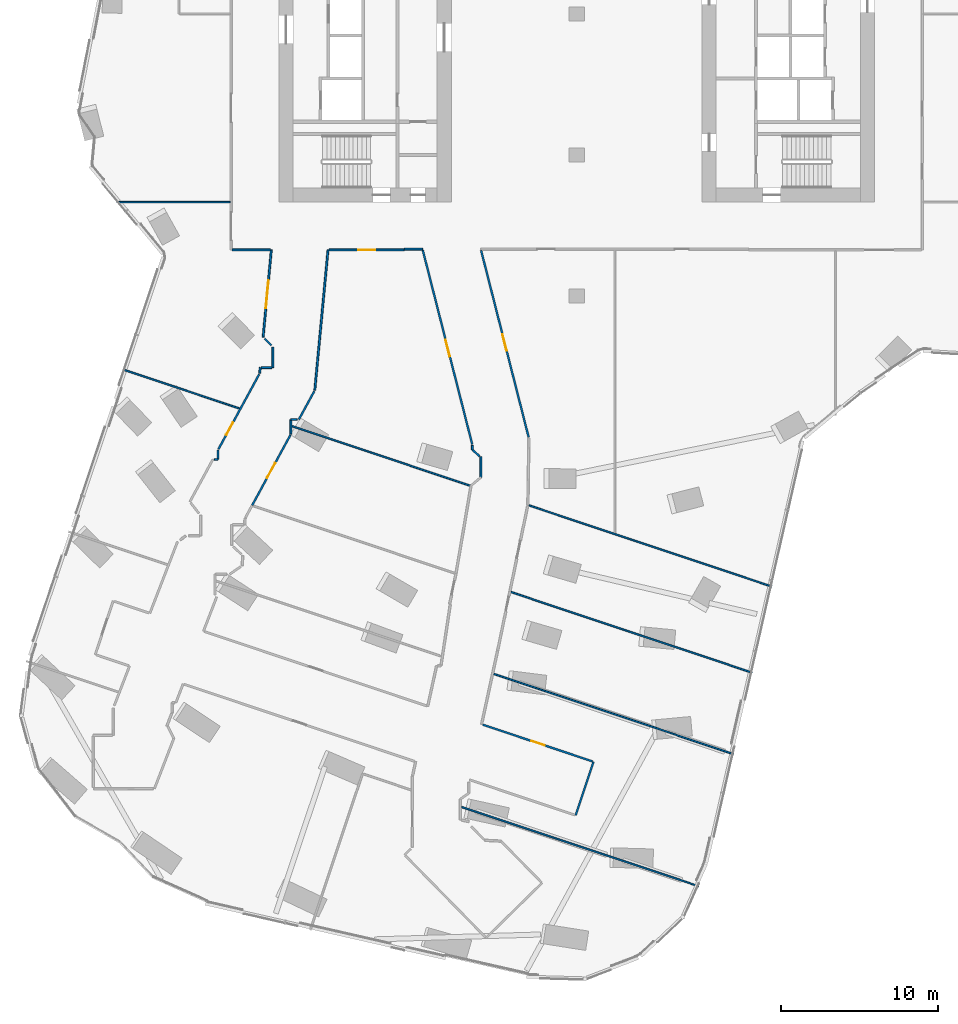
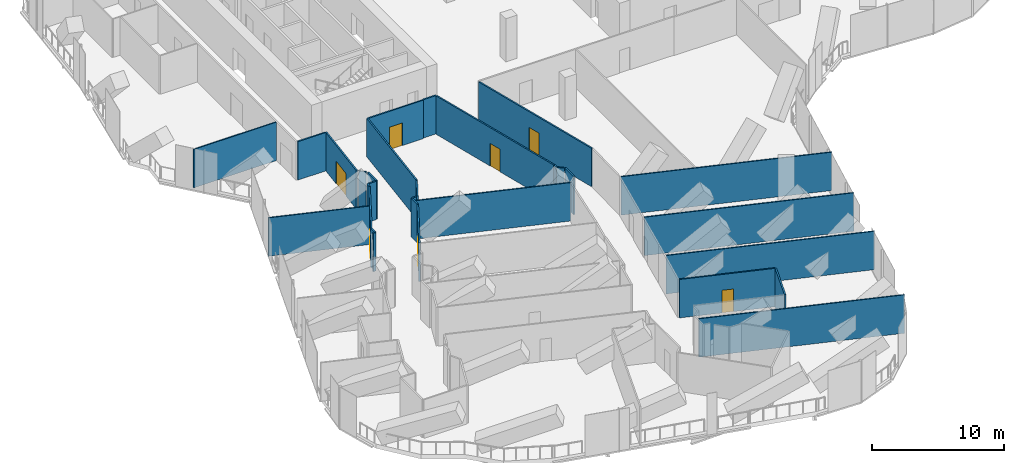
# One storey, part 20 of 28: 30 walls, 7 doors, 7 openings.
"""IFC4 building model written with IfcOpenShell, lengths in metres."""

from ifc_helpers import new_model, si_unit, direction, frame, frame_2d, origin, place, context, subcontext, project, spatial, rectangle, extrude, material, layer, layer_set, type_object, element, fill, save


model = new_model("IFC4")

# Units and contexts
model_context = context("Model", 3, precision=1e-05, world=origin(), true_north=direction((0.0, 1.0)))
body_context = subcontext(model_context, "Body", "Model", "MODEL_VIEW")
ifc_project = project(units=[si_unit("LENGTHUNIT", "METRE"), si_unit("AREAUNIT", "SQUARE_METRE"), si_unit("VOLUMEUNIT", "CUBIC_METRE"), si_unit("PLANEANGLEUNIT", "RADIAN"), si_unit("MASSUNIT", "GRAM", prefix="KILO")], contexts=[model_context])

# Site, building, storey
site_placement = place(None, origin())
site = spatial("IfcSite", under=ifc_project, at=site_placement, CompositionType="ELEMENT")
building_placement = place(site_placement, origin())
building = spatial("IfcBuilding", under=site, at=building_placement, Name="Orlundy Tower", CompositionType="ELEMENT")
storey_placement = place(building_placement, frame((0.0, 0.0, 163.10009765625)))
storey = spatial("IfcBuildingStorey", under=building, at=storey_placement, Name="L42", CompositionType="ELEMENT", Elevation=163.10009765625)

# Walls
ifc_material_1 = material(Name="Gypsum board partition")
ifc_layer_1 = layer(ifc_material_1, 0.10009765625)
ifc_layer_set_1 = layer_set([ifc_layer_1], Name="Floor partition 100")
wall_type_1 = type_object("IfcWallType", Name="Floor partition 100", PredefinedType="PARTITIONING", material=ifc_layer_set_1)
wall_1_placement = place(storey_placement, frame((-7.337890625, -50.5859375, 0.0), z_axis=(0.0, 0.0, 1.0), x_axis=(0.948329073506, -0.317288462355, 0.0)))
element("IfcWall", 1, at=wall_1_placement, inside=storey, type_object=wall_type_1, Name="wall-int-L42-013", PredefinedType="PARTITIONING", context=body_context, shape_type="SweptSolid", body=[
    extrude(rectangle(XDim=15.94775390625, YDim=0.10009765625, at=frame_2d((7.973876953125, 0.0))), origin(), (0.0, 0.0, 1.0), 3.559814453125),
])
wall_2_placement = place(storey_placement, frame((-5.301025390625, -42.093017578125, 0.0), z_axis=(0.0, 0.0, 1.0), x_axis=(0.948322863681, -0.317307022015, 0.0)))
element("IfcWall", 2, at=wall_2_placement, inside=storey, type_object=wall_type_1, Name="wall-int-L42-022", PredefinedType="PARTITIONING", context=body_context, shape_type="SweptSolid", body=[
    extrude(rectangle(XDim=16.1484375, YDim=0.10009765625, at=frame_2d((8.07421875, 0.0))), origin(), (0.0, 0.0, 1.0), 3.559814453125),
])
wall_3_placement = place(storey_placement, frame((-4.202880859375, -36.8720703125, 0.0), z_axis=(0.0, 0.0, 1.0), x_axis=(0.9483339029, -0.317274027634, 0.0)))
element("IfcWall", 3, at=wall_3_placement, inside=storey, type_object=wall_type_1, Name="wall-int-L42-024", PredefinedType="PARTITIONING", context=body_context, shape_type="SweptSolid", body=[
    extrude(rectangle(XDim=16.23779296875, YDim=0.10009765625, at=frame_2d((8.118896484375, 0.0))), origin(), (0.0, 0.0, 1.0), 3.559814453125),
])
wall_4_placement = place(storey_placement, frame((-28.943115234375, -22.681884765625, 0.0), z_axis=(0.0, 0.0, 1.0), x_axis=(0.948295796256, -0.317387905888, 0.0)))
element("IfcWall", 4, at=wall_4_placement, inside=storey, type_object=wall_type_1, Name="wall-int-L42-025", PredefinedType="PARTITIONING", context=body_context, shape_type="SweptSolid", body=[
    extrude(rectangle(XDim=7.826904296875, YDim=0.10009765625, at=frame_2d((3.91357421875, 0.0))), origin(), (0.0, 0.0, 1.0), 3.559814453125),
])
wall_5_placement = place(storey_placement, frame((-18.14990234375, -26.29296875, 0.0), z_axis=(0.0, 0.0, 1.0), x_axis=(0.948306265972, -0.317356622616, 0.0)))
element("IfcWall", 5, at=wall_5_placement, inside=storey, type_object=wall_type_1, Name="wall-int-L42-026", PredefinedType="PARTITIONING", context=body_context, shape_type="SweptSolid", body=[
    extrude(rectangle(XDim=12.065673828125, YDim=0.10009765625, at=frame_2d((6.03271484375, 0.0))), origin(), (0.0, 0.0, 1.0), 3.559814453125),
])
wall_6_placement = place(storey_placement, frame((-3.0380859375, -31.35009765625, 0.0), z_axis=(0.0, 0.0, 1.0), x_axis=(0.948347845644, -0.317232349647, 0.0)))
element("IfcWall", 6, at=wall_6_placement, inside=storey, type_object=wall_type_1, Name="wall-int-L42-027", PredefinedType="PARTITIONING", context=body_context, shape_type="SweptSolid", body=[
    extrude(rectangle(XDim=16.32861328125, YDim=0.10009765625, at=frame_2d((8.164306640625, 0.0))), origin(), (0.0, 0.0, 1.0), 3.559814453125),
])
wall_7_placement = place(storey_placement, frame((-29.346923828125, -12.0, 0.0), z_axis=(0.0, 0.0, 1.0), x_axis=(1.0, 0.0, 0.0)))
element("IfcWall", 7, at=wall_7_placement, inside=storey, type_object=wall_type_1, Name="wall-int-L42-046", PredefinedType="PARTITIONING", context=body_context, shape_type="SweptSolid", body=[
    extrude(rectangle(XDim=7.23388671875, YDim=0.10009765625, at=frame_2d((3.616943359375, 0.0))), origin(), (0.0, 0.0, 1.0), 3.559814453125),
])

# Wall, opening, door
ifc_material_2 = material(Name="Gypsum board partition, double layer")
ifc_layer_2 = layer(ifc_material_2, 0.125)
ifc_layer_set_2 = layer_set([ifc_layer_2], Name="Floor partition 125")
wall_type_2 = type_object("IfcWallType", Name="Floor partition 125", PredefinedType="PARTITIONING", material=ifc_layer_set_2)
wall_8_placement = place(storey_placement, frame((-6.6640625, -27.4560546875, 0.0), z_axis=(0.0, 0.0, 1.0), x_axis=(-0.246684502695, 0.969095844656, 0.0)))
wall_8 = element("IfcWall", 8, at=wall_8_placement, inside=storey, type_object=wall_type_2, Name="wall-int-L42-002", PredefinedType="PARTITIONING", context=body_context, shape_type="SweptSolid", body=[
    extrude(rectangle(XDim=12.77294921875, YDim=0.125, at=frame_2d((6.386474609375, 0.0))), origin(), (0.0, 0.0, 1.0), 3.559814453125),
])
opening_1_placement = place(wall_8_placement, frame((5.78759765625, 0.0, 0.0)))
opening_1 = element("IfcOpeningElement", 9, at=opening_1_placement, cuts=wall_8, Name="Opening 33114", PredefinedType="OPENING", context=body_context, shape_type="SweptSolid", body=[
    extrude(rectangle(XDim=1.10009765625, YDim=2.10009765625, at=frame_2d((0.550048828125, 1.050048828125))), frame((0.0, 0.072509765625, 0.0), z_axis=(0.0, -1.0, 0.0), x_axis=(1.0, 0.0, 0.0)), (0.0, 0.0, 1.0), 0.14501953125),
])
ifc_material_3 = material(Name="Timber door leaf", Category="wood")
door_type_1 = type_object("IfcDoorType", Name="Floor door xwide 1100 FD30S", OperationType="NOTDEFINED", PredefinedType="DOOR", material=ifc_material_3)
door_1_placement = place(opening_1_placement, origin())
door_1 = element("IfcDoor", 10, at=door_1_placement, inside=storey, type_object=door_type_1, Name="Door 33114", OperationType="SINGLE_SWING_LEFT", OverallHeight=2.10009765625, OverallWidth=1.10009765625, PredefinedType="DOOR", context=body_context, shape_type="SweptSolid", body=[
    extrude(rectangle(XDim=1.10009765625, YDim=2.10009765625, at=frame_2d((0.550048828125, 1.050048828125))), frame((0.0, 0.02490234375, 0.0), z_axis=(0.0, -1.0, 0.0), x_axis=(1.0, 0.0, 0.0)), (0.0, 0.0, 1.0), 0.050048828125),
])
fill(opening_1, door_1)

wall_9_placement = place(storey_placement, frame((-6.09912109375, -15.077880859375, 0.0), z_axis=(0.0, 0.0, 1.0), x_axis=(0.246636596994, -0.969108037849, 0.0)))
wall_9 = element("IfcWall", 11, at=wall_9_placement, inside=storey, type_object=wall_type_2, Name="wall-int-L42-003", PredefinedType="PARTITIONING", context=body_context, shape_type="SweptSolid", body=[
    extrude(rectangle(XDim=12.30615234375, YDim=0.125, at=frame_2d((6.153076171875, 0.0))), origin(), (0.0, 0.0, 1.0), 3.559814453125),
])
opening_2_placement = place(wall_9_placement, frame((5.51953125, 0.0, 0.0)))
opening_2 = element("IfcOpeningElement", 12, at=opening_2_placement, cuts=wall_9, Name="Opening 33115", PredefinedType="OPENING", context=body_context, shape_type="SweptSolid", body=[
    extrude(rectangle(XDim=1.10009765625, YDim=2.10009765625, at=frame_2d((0.550048828125, 1.050048828125))), frame((0.0, 0.072509765625, 0.0), z_axis=(0.0, -1.0, 0.0), x_axis=(1.0, 0.0, 0.0)), (0.0, 0.0, 1.0), 0.14501953125),
])
door_2_placement = place(opening_2_placement, origin())
door_2 = element("IfcDoor", 13, at=door_2_placement, inside=storey, type_object=door_type_1, Name="Door 33115", OperationType="SINGLE_SWING_LEFT", OverallHeight=2.10009765625, OverallWidth=1.10009765625, PredefinedType="DOOR", context=body_context, shape_type="SweptSolid", body=[
    extrude(rectangle(XDim=1.10009765625, YDim=2.10009765625, at=frame_2d((0.550048828125, 1.050048828125))), frame((0.0, 0.02490234375, 0.0), z_axis=(0.0, -1.0, 0.0), x_axis=(1.0, 0.0, 0.0)), (0.0, 0.0, 1.0), 0.050048828125),
])
fill(opening_2, door_2)

# Wall
wall_10_placement = place(storey_placement, frame((-19.909912109375, -20.7099609375, 0.0), z_axis=(0.0, 0.0, 1.0), x_axis=(0.703686492329, -0.71051060549, 0.0)))
element("IfcWall", 14, at=wall_10_placement, inside=storey, type_object=wall_type_2, Name="wall-int-L42-008", PredefinedType="PARTITIONING", context=body_context, shape_type="SweptSolid", body=[
    extrude(rectangle(XDim=0.608154296875, YDim=0.125, at=frame_2d((0.30419921875, 0.0))), origin(), (0.0, 0.0, 1.0), 3.559814453125),
])

# Wall, opening, door
wall_11_placement = place(storey_placement, frame((-6.008056640625, -45.3330078125, 0.0), z_axis=(0.0, 0.0, 1.0), x_axis=(0.948343292344, -0.31724596115, 0.0)))
wall_11 = element("IfcWall", 15, at=wall_11_placement, inside=storey, type_object=wall_type_2, Name="wall-int-L42-019", PredefinedType="PARTITIONING", context=body_context, shape_type="SweptSolid", body=[
    extrude(rectangle(XDim=7.40771484375, YDim=0.125, at=frame_2d((3.703857421875, 0.0))), origin(), (0.0, 0.0, 1.0), 3.559814453125),
])
opening_3_placement = place(wall_11_placement, frame((3.28759765625, 0.0, 0.0)))
opening_3 = element("IfcOpeningElement", 16, at=opening_3_placement, cuts=wall_11, Name="Opening 33102", PredefinedType="OPENING", context=body_context, shape_type="SweptSolid", body=[
    extrude(rectangle(XDim=0.89990234375, YDim=2.10009765625, at=frame_2d((0.449951171875, 1.050048828125))), frame((0.0, 0.072509765625, 0.0), z_axis=(0.0, -1.0, 0.0), x_axis=(1.0, 0.0, 0.0)), (0.0, 0.0, 1.0), 0.14501953125),
])
ifc_material_4 = material(Name="Timber door leaf", Category="wood")
door_type_2 = type_object("IfcDoorType", Name="Floor door single 900 FD30S", OperationType="NOTDEFINED", PredefinedType="DOOR", material=ifc_material_4)
door_3_placement = place(opening_3_placement, origin())
door_3 = element("IfcDoor", 17, at=door_3_placement, inside=storey, type_object=door_type_2, Name="Door 33102", OperationType="SINGLE_SWING_RIGHT", OverallHeight=2.10009765625, OverallWidth=0.89990234375, PredefinedType="DOOR", context=body_context, shape_type="SweptSolid", body=[
    extrude(rectangle(XDim=0.89990234375, YDim=2.10009765625, at=frame_2d((0.449951171875, 1.050048828125))), frame((0.0, 0.02490234375, 0.0), z_axis=(0.0, -1.0, 0.0), x_axis=(1.0, 0.0, 0.0)), (0.0, 0.0, 1.0), 0.050048828125),
])
fill(opening_3, door_3)

# Walls
wall_12_placement = place(storey_placement, frame((-6.64892578125, -27.80810546875, 0.0), z_axis=(0.0, 0.0, 1.0), x_axis=(0.747343657783, -0.664437699993, 0.0)))
element("IfcWall", 18, at=wall_12_placement, inside=storey, type_object=wall_type_2, Name="wall-int-L42-028", PredefinedType="PARTITIONING", context=body_context, shape_type="SweptSolid", body=[
    extrude(rectangle(XDim=0.615478515625, YDim=0.125, at=frame_2d((0.3076171875, 0.0))), origin(), (0.0, 0.0, 1.0), 3.559814453125),
])
wall_13_placement = place(storey_placement, frame((-23.10498046875, -28.4208984375, 0.0), z_axis=(0.0, 0.0, 1.0), x_axis=(1.0, 0.0, 0.0)))
element("IfcWall", 19, at=wall_13_placement, inside=storey, type_object=wall_type_2, Name="wall-int-L42-038", PredefinedType="PARTITIONING", context=body_context, shape_type="SweptSolid", body=[
    extrude(rectangle(XDim=0.222900390625, YDim=0.125, at=frame_2d((0.111328125, 0.0))), origin(), (0.0, 0.0, 1.0), 3.559814453125),
])
wall_14_placement = place(storey_placement, frame((-18.22802734375, -25.87109375, 0.0), z_axis=(0.0, 0.0, 1.0), x_axis=(1.0, 0.0, 0.0)))
element("IfcWall", 20, at=wall_14_placement, inside=storey, type_object=wall_type_2, Name="wall-int-L42-039", PredefinedType="PARTITIONING", context=body_context, shape_type="SweptSolid", body=[
    extrude(rectangle(XDim=0.39892578125, YDim=0.125, at=frame_2d((0.199462890625, 0.0))), origin(), (0.0, 0.0, 1.0), 3.559814453125),
])
wall_15_placement = place(storey_placement, frame((-20.125, -22.554931640625, 0.0), z_axis=(0.0, 0.0, 1.0), x_axis=(1.0, 0.0, 0.0)))
element("IfcWall", 21, at=wall_15_placement, inside=storey, type_object=wall_type_2, Name="wall-int-L42-040", PredefinedType="PARTITIONING", context=body_context, shape_type="SweptSolid", body=[
    extrude(rectangle(XDim=0.68701171875, YDim=0.125, at=frame_2d((0.343505859375, 0.0))), origin(), (0.0, 0.0, 1.0), 3.559814453125),
])
wall_16_placement = place(storey_placement, frame((-21.988037109375, -15.051025390625, 0.0), z_axis=(0.0, 0.0, 1.0), x_axis=(1.0, 0.0, 0.0)))
element("IfcWall", 22, at=wall_16_placement, inside=storey, type_object=wall_type_2, Name="wall-int-L42-041", PredefinedType="PARTITIONING", context=body_context, shape_type="SweptSolid", body=[
    extrude(rectangle(XDim=2.447021484375, YDim=0.125, at=frame_2d((1.2236328125, 0.0))), origin(), (0.0, 0.0, 1.0), 3.559814453125),
])

# Wall, opening, door
wall_17_placement = place(storey_placement, frame((-10.990966796875, -15.051025390625, 0.0), z_axis=(0.0, 0.0, 1.0), x_axis=(-1.0, 0.0, 0.0)))
wall_17 = element("IfcWall", 23, at=wall_17_placement, inside=storey, type_object=wall_type_2, Name="wall-int-L42-042", PredefinedType="PARTITIONING", context=body_context, shape_type="SweptSolid", body=[
    extrude(rectangle(XDim=4.80908203125, YDim=0.125, at=frame_2d((2.404541015625, 0.0))), origin(), (0.0, 0.0, 1.0), 3.559814453125),
])
opening_4_placement = place(wall_17_placement, frame((1.85009765625, 0.0, 0.0)))
opening_4 = element("IfcOpeningElement", 24, at=opening_4_placement, cuts=wall_17, Name="Opening 33113", PredefinedType="OPENING", context=body_context, shape_type="SweptSolid", body=[
    extrude(rectangle(XDim=1.10009765625, YDim=2.10009765625, at=frame_2d((0.550048828125, 1.050048828125))), frame((0.0, 0.072509765625, 0.0), z_axis=(0.0, -1.0, 0.0), x_axis=(1.0, 0.0, 0.0)), (0.0, 0.0, 1.0), 0.14501953125),
])
door_4_placement = place(opening_4_placement, origin())
door_4 = element("IfcDoor", 25, at=door_4_placement, inside=storey, type_object=door_type_1, Name="Door 33113", OperationType="SINGLE_SWING_LEFT", OverallHeight=2.10009765625, OverallWidth=1.10009765625, PredefinedType="DOOR", context=body_context, shape_type="SweptSolid", body=[
    extrude(rectangle(XDim=1.10009765625, YDim=2.10009765625, at=frame_2d((0.550048828125, 1.050048828125))), frame((0.0, 0.02490234375, 0.0), z_axis=(0.0, -1.0, 0.0), x_axis=(1.0, 0.0, 0.0)), (0.0, 0.0, 1.0), 0.050048828125),
])
fill(opening_4, door_4)

# Walls
wall_18_placement = place(storey_placement, frame((-10.989990234375, -15.0009765625, 0.0), z_axis=(0.0, 0.0, 1.0), x_axis=(0.999999642576, 0.00084548691, 0.0)))
element("IfcWall", 26, at=wall_18_placement, inside=storey, type_object=wall_type_2, Name="wall-int-L42-044", PredefinedType="PARTITIONING", context=body_context, shape_type="SweptSolid", body=[
    extrude(rectangle(XDim=1.155029296875, YDim=0.125, at=frame_2d((0.57763671875, 0.0))), origin(), (0.0, 0.0, 1.0), 3.559814453125),
])
wall_19_placement = place(storey_placement, frame((-17.72412109375, -25.87109375, 0.0), z_axis=(0.0, 0.0, 1.0), x_axis=(0.478164211791, 0.878270451833, 0.0)))
element("IfcWall", 27, at=wall_19_placement, inside=storey, type_object=wall_type_2, Name="wall-int-L42-064", PredefinedType="PARTITIONING", context=body_context, shape_type="SweptSolid", body=[
    extrude(rectangle(XDim=2.064208984375, YDim=0.125, at=frame_2d((1.0322265625, 0.0))), origin(), (0.0, 0.0, 1.0), 3.559814453125),
])

# Wall, opening, door
wall_20_placement = place(storey_placement, frame((-18.259033203125, -26.85400390625, 0.0), z_axis=(0.0, 0.0, 1.0), x_axis=(-0.477745466433, -0.878498303528, 0.0)))
wall_20 = element("IfcWall", 28, at=wall_20_placement, inside=storey, type_object=wall_type_2, Name="wall-int-L42-065", PredefinedType="PARTITIONING", context=body_context, shape_type="SweptSolid", body=[
    extrude(rectangle(XDim=5.117919921875, YDim=0.125, at=frame_2d((2.55908203125, 0.0))), origin(), (0.0, 0.0, 1.0), 3.559814453125),
])
opening_5_placement = place(wall_20_placement, frame((2.03759765625, 0.0, 0.0)))
opening_5 = element("IfcOpeningElement", 29, at=opening_5_placement, cuts=wall_20, Name="Opening 33103", PredefinedType="OPENING", context=body_context, shape_type="SweptSolid", body=[
    extrude(rectangle(XDim=1.10009765625, YDim=2.10009765625, at=frame_2d((0.550048828125, 1.050048828125))), frame((0.0, 0.072509765625, 0.0), z_axis=(0.0, -1.0, 0.0), x_axis=(1.0, 0.0, 0.0)), (0.0, 0.0, 1.0), 0.14501953125),
])
door_5_placement = place(opening_5_placement, origin())
door_5 = element("IfcDoor", 30, at=door_5_placement, inside=storey, type_object=door_type_1, Name="Door 33103", OperationType="SINGLE_SWING_RIGHT", OverallHeight=2.10009765625, OverallWidth=1.10009765625, PredefinedType="DOOR", context=body_context, shape_type="SweptSolid", body=[
    extrude(rectangle(XDim=1.10009765625, YDim=2.10009765625, at=frame_2d((0.550048828125, 1.050048828125))), frame((0.0, 0.02490234375, 0.0), z_axis=(0.0, -1.0, 0.0), x_axis=(1.0, 0.0, 0.0)), (0.0, 0.0, 1.0), 0.050048828125),
])
fill(opening_5, door_5)

wall_21_placement = place(storey_placement, frame((-22.85205078125, -27.762939453125, 0.0), z_axis=(0.0, 0.0, 1.0), x_axis=(0.477864319277, 0.878433658487, 0.0)))
wall_21 = element("IfcWall", 31, at=wall_21_placement, inside=storey, type_object=wall_type_2, Name="wall-int-L42-067", PredefinedType="PARTITIONING", context=body_context, shape_type="SweptSolid", body=[
    extrude(rectangle(XDim=5.43896484375, YDim=0.125, at=frame_2d((2.719482421875, 0.0))), origin(), (0.0, 0.0, 1.0), 3.559814453125),
])
opening_6_placement = place(wall_21_placement, frame((1.03759765625, 0.0, 0.0)))
opening_6 = element("IfcOpeningElement", 32, at=opening_6_placement, cuts=wall_21, Name="Opening 33108", PredefinedType="OPENING", context=body_context, shape_type="SweptSolid", body=[
    extrude(rectangle(XDim=0.89990234375, YDim=2.10009765625, at=frame_2d((0.449951171875, 1.050048828125))), frame((0.0, 0.072509765625, 0.0), z_axis=(0.0, -1.0, 0.0), x_axis=(1.0, 0.0, 0.0)), (0.0, 0.0, 1.0), 0.14501953125),
])
door_6_placement = place(opening_6_placement, origin())
door_6 = element("IfcDoor", 33, at=door_6_placement, inside=storey, type_object=door_type_2, Name="Door 33108", OperationType="SINGLE_SWING_LEFT", OverallHeight=2.10009765625, OverallWidth=0.89990234375, PredefinedType="DOOR", context=body_context, shape_type="SweptSolid", body=[
    extrude(rectangle(XDim=0.89990234375, YDim=2.10009765625, at=frame_2d((0.449951171875, 1.050048828125))), frame((0.0, 0.02490234375, 0.0), z_axis=(0.0, -1.0, 0.0), x_axis=(1.0, 0.0, 0.0)), (0.0, 0.0, 1.0), 0.050048828125),
])
fill(opening_6, door_6)

# Walls
wall_22_placement = place(storey_placement, frame((-0.06591796875, -51.116943359375, 0.0), z_axis=(0.0, 0.0, 1.0), x_axis=(0.317183836314, 0.948364072485, 0.0)))
element("IfcWall", 34, at=wall_22_placement, inside=storey, type_object=wall_type_2, Name="wall-int-L42-074", PredefinedType="PARTITIONING", context=body_context, shape_type="SweptSolid", body=[
    extrude(rectangle(XDim=3.599853515625, YDim=0.125, at=frame_2d((1.7998046875, 0.0))), origin(), (0.0, 0.0, 1.0), 3.559814453125),
])
wall_23_placement = place(storey_placement, frame((-16.70703125, -24.001953125, 0.0), z_axis=(0.0, 0.0, 1.0), x_axis=(0.0939825188, 0.995573847668, 0.0)))
element("IfcWall", 35, at=wall_23_placement, inside=storey, type_object=wall_type_2, Name="wall-int-L42-086", PredefinedType="PARTITIONING", context=body_context, shape_type="SweptSolid", body=[
    extrude(rectangle(XDim=8.99072265625, YDim=0.125, at=frame_2d((4.495361328125, 0.0))), origin(), (0.0, 0.0, 1.0), 3.559814453125),
])

# Wall, opening, door
wall_24_placement = place(storey_placement, frame((-20.00390625, -20.614013671875, 0.0), z_axis=(0.0, 0.0, 1.0), x_axis=(0.093938936884, 0.995577960853, 0.0)))
wall_24 = element("IfcWall", 36, at=wall_24_placement, inside=storey, type_object=wall_type_2, Name="wall-int-L42-087", PredefinedType="PARTITIONING", context=body_context, shape_type="SweptSolid", body=[
    extrude(rectangle(XDim=5.587646484375, YDim=0.125, at=frame_2d((2.7939453125, 0.0))), origin(), (0.0, 0.0, 1.0), 3.559814453125),
])
opening_7_placement = place(wall_24_placement, frame((1.85009765625, 0.0, 0.0)))
opening_7 = element("IfcOpeningElement", 37, at=opening_7_placement, cuts=wall_24, Name="Opening 33112", PredefinedType="OPENING", context=body_context, shape_type="SweptSolid", body=[
    extrude(rectangle(XDim=1.800048828125, YDim=2.10009765625, at=frame_2d((0.89990234375, 1.050048828125))), frame((0.0, 0.072509765625, 0.0), z_axis=(0.0, -1.0, 0.0), x_axis=(1.0, 0.0, 0.0)), (0.0, 0.0, 1.0), 0.14501953125),
])
ifc_material_5 = material(Name="Timber door leaf", Category="wood")
door_type_3 = type_object("IfcDoorType", Name="Floor door double 1800 FD30S", OperationType="NOTDEFINED", PredefinedType="DOOR", material=ifc_material_5)
door_7_placement = place(opening_7_placement, origin())
door_7 = element("IfcDoor", 38, at=door_7_placement, inside=storey, type_object=door_type_3, Name="Door 33112", OperationType="DOUBLE_DOOR_SINGLE_SWING", OverallHeight=2.10009765625, OverallWidth=1.800048828125, PredefinedType="DOOR", context=body_context, shape_type="SweptSolid", body=[
    extrude(rectangle(XDim=1.800048828125, YDim=2.10009765625, at=frame_2d((0.89990234375, 1.050048828125))), frame((0.0, 0.02490234375, 0.0), z_axis=(0.0, -1.0, 0.0), x_axis=(1.0, 0.0, 0.0)), (0.0, 0.0, 1.0), 0.050048828125),
])
fill(opening_7, door_7)

# Walls
wall_25_placement = place(storey_placement, frame((-20.222900390625, -22.929931640625, 0.0), z_axis=(0.0, 0.0, 1.0), x_axis=(0.092938042315, 0.995671893894, 0.0)))
element("IfcWall", 39, at=wall_25_placement, inside=storey, type_object=wall_type_2, Name="wall-int-L42-088", PredefinedType="PARTITIONING", context=body_context, shape_type="SweptSolid", body=[
    extrude(rectangle(XDim=0.375732421875, YDim=0.125, at=frame_2d((0.18798828125, 0.0))), origin(), (0.0, 0.0, 1.0), 3.559814453125),
])
wall_26_placement = place(storey_placement, frame((-6.10888671875, -29.55908203125, 0.0), z_axis=(0.0, 0.0, 1.0), x_axis=(0.0, 1.0, 0.0)))
element("IfcWall", 40, at=wall_26_placement, inside=storey, type_object=wall_type_2, Name="wall-int-L42-098", PredefinedType="PARTITIONING", context=body_context, shape_type="SweptSolid", body=[
    extrude(rectangle(XDim=1.319091796875, YDim=0.125, at=frame_2d((0.65966796875, 0.0))), origin(), (0.0, 0.0, 1.0), 3.559814453125),
])
wall_27_placement = place(storey_placement, frame((-6.64892578125, -27.80810546875, 0.0), z_axis=(0.0, 0.0, 1.0), x_axis=(0.0, 1.0, 0.0)))
element("IfcWall", 41, at=wall_27_placement, inside=storey, type_object=wall_type_2, Name="wall-int-L42-099", PredefinedType="PARTITIONING", context=body_context, shape_type="SweptSolid", body=[
    extrude(rectangle(XDim=0.291015625, YDim=0.125, at=frame_2d((0.1455078125, 0.0))), origin(), (0.0, 0.0, 1.0), 3.559814453125),
])
wall_28_placement = place(storey_placement, frame((-18.22802734375, -26.799072265625, 0.0), z_axis=(0.0, 0.0, 1.0), x_axis=(0.0, 1.0, 0.0)))
element("IfcWall", 42, at=wall_28_placement, inside=storey, type_object=wall_type_2, Name="wall-int-L42-104", PredefinedType="PARTITIONING", context=body_context, shape_type="SweptSolid", body=[
    extrude(rectangle(XDim=0.927978515625, YDim=0.125, at=frame_2d((0.4638671875, 0.0))), origin(), (0.0, 0.0, 1.0), 3.559814453125),
])
wall_29_placement = place(storey_placement, frame((-19.375, -22.554931640625, 0.0), z_axis=(0.0, 0.0, 1.0), x_axis=(0.0, 1.0, 0.0)))
element("IfcWall", 43, at=wall_29_placement, inside=storey, type_object=wall_type_2, Name="wall-int-L42-105", PredefinedType="PARTITIONING", context=body_context, shape_type="SweptSolid", body=[
    extrude(rectangle(XDim=1.304931640625, YDim=0.125, at=frame_2d((0.65234375, 0.0))), origin(), (0.0, 0.0, 1.0), 3.559814453125),
])
wall_30_placement = place(storey_placement, frame((-22.882080078125, -28.4208984375, 0.0), z_axis=(0.0, 0.0, 1.0), x_axis=(0.0, 1.0, 0.0)))
element("IfcWall", 44, at=wall_30_placement, inside=storey, type_object=wall_type_2, Name="wall-int-L42-108", PredefinedType="PARTITIONING", context=body_context, shape_type="SweptSolid", body=[
    extrude(rectangle(XDim=0.602783203125, YDim=0.125, at=frame_2d((0.30126953125, 0.0))), origin(), (0.0, 0.0, 1.0), 3.559814453125),
])

save(model, "model.ifc")
